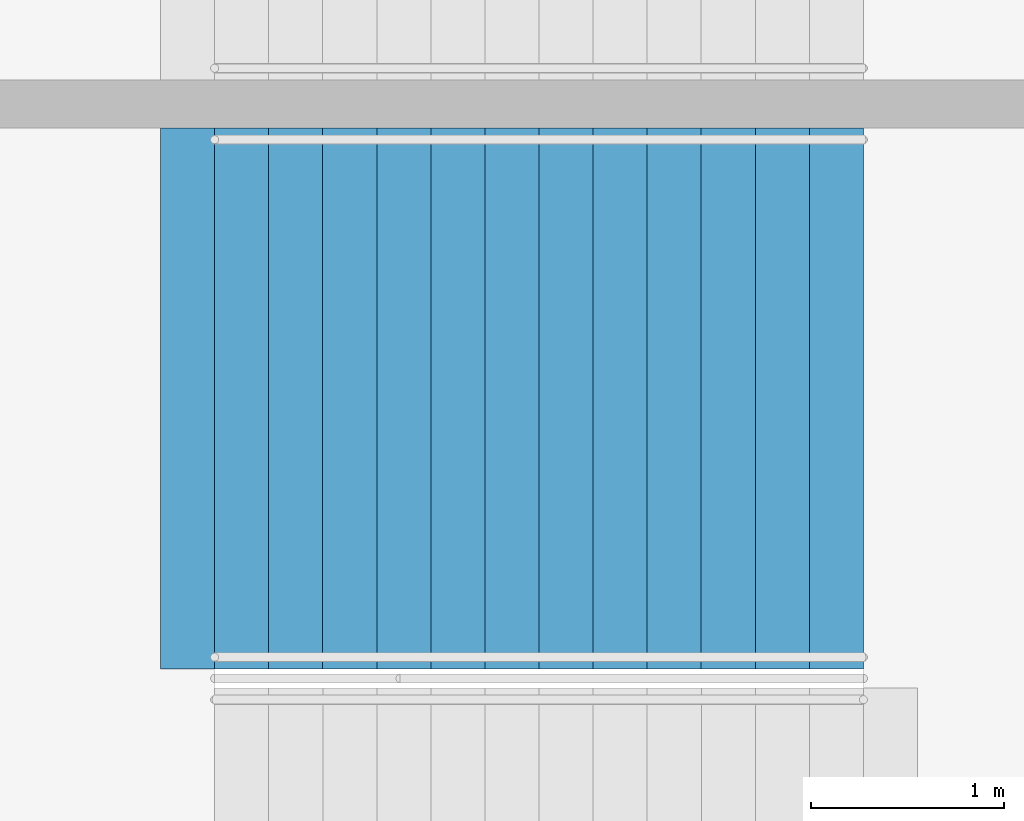
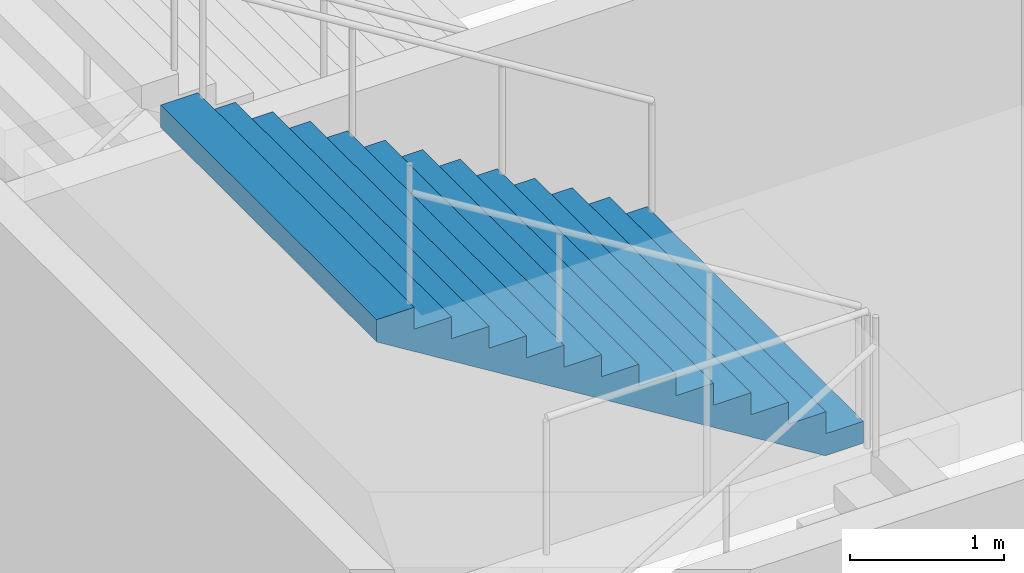
# One storey, part 181 of 249: 1 stair flight, 1 element without a shape of its own.
"""IFC4 building model written with IfcOpenShell, lengths in metres."""

from ifc_helpers import new_model, si_unit, direction, frame, origin, place, context, subcontext, project, spatial, faceted_brep, material, type_object, element, aggregate, save


model = new_model("IFC4")

# Units and contexts
model_context = context("Model", 3, precision=1e-05, world=origin(), true_north=direction((0.0, 1.0)))
body_context = subcontext(model_context, "Body", "Model", "MODEL_VIEW")
ifc_project = project(units=[si_unit("LENGTHUNIT", "METRE"), si_unit("AREAUNIT", "SQUARE_METRE"), si_unit("VOLUMEUNIT", "CUBIC_METRE"), si_unit("PLANEANGLEUNIT", "RADIAN"), si_unit("MASSUNIT", "GRAM", prefix="KILO")], contexts=[model_context])

# Site, building, storey
site_placement = place(None, origin())
site = spatial("IfcSite", under=ifc_project, at=site_placement, CompositionType="ELEMENT")
building_placement = place(site_placement, origin())
building = spatial("IfcBuilding", under=site, at=building_placement, Name="Ogive Plaza Stadium", CompositionType="ELEMENT")
storey_placement = place(building_placement, frame((0.0, 0.0, 13.5)))
storey = spatial("IfcBuildingStorey", under=building, at=storey_placement, Name="L03", CompositionType="ELEMENT", Elevation=13.5)

# Stair, stair flight
ifc_material_1 = material(Name="Concrete C40/50", Category="concrete")
stair_type = type_object("IfcStairType", Name="Exit stair", PredefinedType="STRAIGHT_RUN_STAIR", material=ifc_material_1)
stair_placement = place(storey_placement, origin())
stair = element("IfcStair", 1, at=stair_placement, inside=storey, type_object=stair_type, Name="Exit stair ST06A L03 to L04", PredefinedType="STRAIGHT_RUN_STAIR")
ifc_material_2 = material(Name="Concrete C40/50", Category="concrete")
stair_flight_type = type_object("IfcStairFlightType", Name="Exit stair flight", PredefinedType="STRAIGHT", material=ifc_material_2)
stair_flight_placement = place(storey_placement, frame((79.7099609375, -24.02490234375, 2.25), z_axis=(0.0, 0.0, 1.0), x_axis=(-1.0, 0.0, 0.0)))
stair_flight = element("IfcStairFlight", 2, at=stair_flight_placement, type_object=stair_flight_type, Name="ST06A flight 2", NumberOfRisers=13, NumberOfTreads=12, PredefinedType="STRAIGHT", RiserHeight=0.173076923, TreadLength=0.28, context=body_context, shape_type="Brep", body=[
    faceted_brep([(0.28515625, -1.39990234375, 0.0), (3.639892578125, -1.39990234375, 2.07373046875), (3.639892578125, -1.39990234375, 2.25), (3.360107421875, -1.39990234375, 2.25), (3.360107421875, -1.39990234375, 2.076904296875), (3.080078125, -1.39990234375, 2.076904296875), (3.080078125, -1.39990234375, 1.90380859375), (2.800048828125, -1.39990234375, 1.90380859375), (2.800048828125, -1.39990234375, 1.730712890625), (2.52001953125, -1.39990234375, 1.730712890625), (2.52001953125, -1.39990234375, 1.5576171875), (2.239990234375, -1.39990234375, 1.5576171875), (2.239990234375, -1.39990234375, 1.384521484375), (1.9599609375, -1.39990234375, 1.384521484375), (1.9599609375, -1.39990234375, 1.21142578125), (1.679931640625, -1.39990234375, 1.21142578125), (1.679931640625, -1.39990234375, 1.03857421875), (1.39990234375, -1.39990234375, 1.03857421875), (1.39990234375, -1.39990234375, 0.865478515625), (1.1201171875, -1.39990234375, 0.865478515625), (1.1201171875, -1.39990234375, 0.6923828125), (0.840087890625, -1.39990234375, 0.6923828125), (0.840087890625, -1.39990234375, 0.519287109375), (0.56005859375, -1.39990234375, 0.519287109375), (0.56005859375, -1.39990234375, 0.34619140625), (0.280029296875, -1.39990234375, 0.34619140625), (0.280029296875, -1.39990234375, 0.173095703125), (0.0, -1.39990234375, 0.173095703125), (0.0, -1.39990234375, 0.0), (0.0, 1.39990234375, 0.0), (0.0, 1.39990234375, 0.173095703125), (0.280029296875, 1.39990234375, 0.173095703125), (0.280029296875, 1.39990234375, 0.34619140625), (0.56005859375, 1.39990234375, 0.34619140625), (0.56005859375, 1.39990234375, 0.519287109375), (0.840087890625, 1.39990234375, 0.519287109375), (0.840087890625, 1.39990234375, 0.6923828125), (1.1201171875, 1.39990234375, 0.6923828125), (1.1201171875, 1.39990234375, 0.865478515625), (1.39990234375, 1.39990234375, 0.865478515625), (1.39990234375, 1.39990234375, 1.03857421875), (1.679931640625, 1.39990234375, 1.03857421875), (1.679931640625, 1.39990234375, 1.21142578125), (1.9599609375, 1.39990234375, 1.21142578125), (1.9599609375, 1.39990234375, 1.384521484375), (2.239990234375, 1.39990234375, 1.384521484375), (2.239990234375, 1.39990234375, 1.5576171875), (2.52001953125, 1.39990234375, 1.5576171875), (2.52001953125, 1.39990234375, 1.730712890625), (2.800048828125, 1.39990234375, 1.730712890625), (2.800048828125, 1.39990234375, 1.90380859375), (3.080078125, 1.39990234375, 1.90380859375), (3.080078125, 1.39990234375, 2.076904296875), (3.360107421875, 1.39990234375, 2.076904296875), (3.360107421875, 1.39990234375, 2.25), (3.639892578125, 1.39990234375, 2.25), (3.639892578125, 1.39990234375, 2.07373046875), (0.28515625, 1.39990234375, 0.0), (0.28515625, -1.0888671875, 0.0), (3.639892578125, -1.0888671875, 2.07373046875), (0.28515625, -0.77783203125, 0.0), (3.639892578125, -0.77783203125, 2.07373046875), (0.28515625, -0.466796875, 0.0), (3.639892578125, -0.466796875, 2.07373046875), (0.28515625, -0.155517578125, 0.0), (3.639892578125, -0.155517578125, 2.07373046875), (0.28515625, 0.155517578125, 0.0), (3.639892578125, 0.155517578125, 2.07373046875), (0.28515625, 0.466796875, 0.0), (3.639892578125, 0.466796875, 2.07373046875), (0.28515625, 0.77783203125, 0.0), (3.639892578125, 0.77783203125, 2.07373046875), (0.28515625, 1.0888671875, 0.0), (3.639892578125, 1.0888671875, 2.07373046875), (3.639892578125, -1.0888671875, 2.25), (3.639892578125, -0.77783203125, 2.25), (3.639892578125, -0.466796875, 2.25), (3.639892578125, -0.155517578125, 2.25), (3.639892578125, 0.155517578125, 2.25), (3.639892578125, 0.466796875, 2.25), (3.639892578125, 0.77783203125, 2.25), (3.639892578125, 1.0888671875, 2.25), (3.360107421875, -1.0888671875, 2.25), (3.360107421875, -0.77783203125, 2.25), (3.360107421875, -0.466796875, 2.25), (3.360107421875, -0.155517578125, 2.25), (3.360107421875, 0.155517578125, 2.25), (3.360107421875, 0.466796875, 2.25), (3.360107421875, 0.77783203125, 2.25), (3.360107421875, 1.0888671875, 2.25), (3.360107421875, -1.0888671875, 2.076904296875), (3.360107421875, -0.77783203125, 2.076904296875), (3.360107421875, -0.466796875, 2.076904296875), (3.360107421875, -0.155517578125, 2.076904296875), (3.360107421875, 0.155517578125, 2.076904296875), (3.360107421875, 0.466796875, 2.076904296875), (3.360107421875, 0.77783203125, 2.076904296875), (3.360107421875, 1.0888671875, 2.076904296875), (3.080078125, -1.0888671875, 2.076904296875), (3.080078125, -0.77783203125, 2.076904296875), (3.080078125, -0.466796875, 2.076904296875), (3.080078125, -0.155517578125, 2.076904296875), (3.080078125, 0.155517578125, 2.076904296875), (3.080078125, 0.466796875, 2.076904296875), (3.080078125, 0.77783203125, 2.076904296875), (3.080078125, 1.0888671875, 2.076904296875), (3.080078125, -1.0888671875, 1.90380859375), (3.080078125, -0.77783203125, 1.90380859375), (3.080078125, -0.466796875, 1.90380859375), (3.080078125, -0.155517578125, 1.90380859375), (3.080078125, 0.155517578125, 1.90380859375), (3.080078125, 0.466796875, 1.90380859375), (3.080078125, 0.77783203125, 1.90380859375), (3.080078125, 1.0888671875, 1.90380859375), (2.800048828125, -1.0888671875, 1.90380859375), (2.800048828125, -0.77783203125, 1.90380859375), (2.800048828125, -0.466796875, 1.90380859375), (2.800048828125, -0.155517578125, 1.90380859375), (2.800048828125, 0.155517578125, 1.90380859375), (2.800048828125, 0.466796875, 1.90380859375), (2.800048828125, 0.77783203125, 1.90380859375), (2.800048828125, 1.0888671875, 1.90380859375), (2.800048828125, -1.0888671875, 1.730712890625), (2.800048828125, -0.77783203125, 1.730712890625), (2.800048828125, -0.466796875, 1.730712890625), (2.800048828125, -0.155517578125, 1.730712890625), (2.800048828125, 0.155517578125, 1.730712890625), (2.800048828125, 0.466796875, 1.730712890625), (2.800048828125, 0.77783203125, 1.730712890625), (2.800048828125, 1.0888671875, 1.730712890625), (2.52001953125, -1.0888671875, 1.730712890625), (2.52001953125, -0.77783203125, 1.730712890625), (2.52001953125, -0.466796875, 1.730712890625), (2.52001953125, -0.155517578125, 1.730712890625), (2.52001953125, 0.155517578125, 1.730712890625), (2.52001953125, 0.466796875, 1.730712890625), (2.52001953125, 0.77783203125, 1.730712890625), (2.52001953125, 1.0888671875, 1.730712890625), (2.52001953125, -1.0888671875, 1.5576171875), (2.52001953125, -0.77783203125, 1.5576171875), (2.52001953125, -0.466796875, 1.5576171875), (2.52001953125, -0.155517578125, 1.5576171875), (2.52001953125, 0.155517578125, 1.5576171875), (2.52001953125, 0.466796875, 1.5576171875), (2.52001953125, 0.77783203125, 1.5576171875), (2.52001953125, 1.0888671875, 1.5576171875), (2.239990234375, -1.0888671875, 1.5576171875), (2.239990234375, -0.77783203125, 1.5576171875), (2.239990234375, -0.466796875, 1.5576171875), (2.239990234375, -0.155517578125, 1.5576171875), (2.239990234375, 0.155517578125, 1.5576171875), (2.239990234375, 0.466796875, 1.5576171875), (2.239990234375, 0.77783203125, 1.5576171875), (2.239990234375, 1.0888671875, 1.5576171875), (2.239990234375, -1.0888671875, 1.384521484375), (2.239990234375, -0.77783203125, 1.384521484375), (2.239990234375, -0.466796875, 1.384521484375), (2.239990234375, -0.155517578125, 1.384521484375), (2.239990234375, 0.155517578125, 1.384521484375), (2.239990234375, 0.466796875, 1.384521484375), (2.239990234375, 0.77783203125, 1.384521484375), (2.239990234375, 1.0888671875, 1.384521484375), (1.9599609375, -1.0888671875, 1.384521484375), (1.9599609375, -0.77783203125, 1.384521484375), (1.9599609375, -0.466796875, 1.384521484375), (1.9599609375, -0.155517578125, 1.384521484375), (1.9599609375, 0.155517578125, 1.384521484375), (1.9599609375, 0.466796875, 1.384521484375), (1.9599609375, 0.77783203125, 1.384521484375), (1.9599609375, 1.0888671875, 1.384521484375), (1.9599609375, -1.0888671875, 1.21142578125), (1.9599609375, -0.77783203125, 1.21142578125), (1.9599609375, -0.466796875, 1.21142578125), (1.9599609375, -0.155517578125, 1.21142578125), (1.9599609375, 0.155517578125, 1.21142578125), (1.9599609375, 0.466796875, 1.21142578125), (1.9599609375, 0.77783203125, 1.21142578125), (1.9599609375, 1.0888671875, 1.21142578125), (1.679931640625, -1.0888671875, 1.21142578125), (1.679931640625, -0.77783203125, 1.21142578125), (1.679931640625, -0.466796875, 1.21142578125), (1.679931640625, -0.155517578125, 1.21142578125), (1.679931640625, 0.155517578125, 1.21142578125), (1.679931640625, 0.466796875, 1.21142578125), (1.679931640625, 0.77783203125, 1.21142578125), (1.679931640625, 1.0888671875, 1.21142578125), (1.679931640625, -1.0888671875, 1.03857421875), (1.679931640625, -0.77783203125, 1.03857421875), (1.679931640625, -0.466796875, 1.03857421875), (1.679931640625, -0.155517578125, 1.03857421875), (1.679931640625, 0.155517578125, 1.03857421875), (1.679931640625, 0.466796875, 1.03857421875), (1.679931640625, 0.77783203125, 1.03857421875), (1.679931640625, 1.0888671875, 1.03857421875), (1.39990234375, -1.0888671875, 1.03857421875), (1.39990234375, -0.77783203125, 1.03857421875), (1.39990234375, -0.466796875, 1.03857421875), (1.39990234375, -0.155517578125, 1.03857421875), (1.39990234375, 0.155517578125, 1.03857421875), (1.39990234375, 0.466796875, 1.03857421875), (1.39990234375, 0.77783203125, 1.03857421875), (1.39990234375, 1.0888671875, 1.03857421875), (1.39990234375, -1.0888671875, 0.865478515625), (1.39990234375, -0.77783203125, 0.865478515625), (1.39990234375, -0.466796875, 0.865478515625), (1.39990234375, -0.155517578125, 0.865478515625), (1.39990234375, 0.155517578125, 0.865478515625), (1.39990234375, 0.466796875, 0.865478515625), (1.39990234375, 0.77783203125, 0.865478515625), (1.39990234375, 1.0888671875, 0.865478515625), (1.1201171875, -1.0888671875, 0.865478515625), (1.1201171875, -0.77783203125, 0.865478515625), (1.1201171875, -0.466796875, 0.865478515625), (1.1201171875, -0.155517578125, 0.865478515625), (1.1201171875, 0.155517578125, 0.865478515625), (1.1201171875, 0.466796875, 0.865478515625), (1.1201171875, 0.77783203125, 0.865478515625), (1.1201171875, 1.0888671875, 0.865478515625), (1.1201171875, -1.0888671875, 0.6923828125), (1.1201171875, -0.77783203125, 0.6923828125), (1.1201171875, -0.466796875, 0.6923828125), (1.1201171875, -0.155517578125, 0.6923828125), (1.1201171875, 0.155517578125, 0.6923828125), (1.1201171875, 0.466796875, 0.6923828125), (1.1201171875, 0.77783203125, 0.6923828125), (1.1201171875, 1.0888671875, 0.6923828125), (0.840087890625, -1.0888671875, 0.6923828125), (0.840087890625, -0.77783203125, 0.6923828125), (0.840087890625, -0.466796875, 0.6923828125), (0.840087890625, -0.155517578125, 0.6923828125), (0.840087890625, 0.155517578125, 0.6923828125), (0.840087890625, 0.466796875, 0.6923828125), (0.840087890625, 0.77783203125, 0.6923828125), (0.840087890625, 1.0888671875, 0.6923828125), (0.840087890625, -1.0888671875, 0.519287109375), (0.840087890625, -0.77783203125, 0.519287109375), (0.840087890625, -0.466796875, 0.519287109375), (0.840087890625, -0.155517578125, 0.519287109375), (0.840087890625, 0.155517578125, 0.519287109375), (0.840087890625, 0.466796875, 0.519287109375), (0.840087890625, 0.77783203125, 0.519287109375), (0.840087890625, 1.0888671875, 0.519287109375), (0.56005859375, -1.0888671875, 0.519287109375), (0.56005859375, -0.77783203125, 0.519287109375), (0.56005859375, -0.466796875, 0.519287109375), (0.56005859375, -0.155517578125, 0.519287109375), (0.56005859375, 0.155517578125, 0.519287109375), (0.56005859375, 0.466796875, 0.519287109375), (0.56005859375, 0.77783203125, 0.519287109375), (0.56005859375, 1.0888671875, 0.519287109375), (0.56005859375, -1.0888671875, 0.34619140625), (0.56005859375, -0.77783203125, 0.34619140625), (0.56005859375, -0.466796875, 0.34619140625), (0.56005859375, -0.155517578125, 0.34619140625), (0.56005859375, 0.155517578125, 0.34619140625), (0.56005859375, 0.466796875, 0.34619140625), (0.56005859375, 0.77783203125, 0.34619140625), (0.56005859375, 1.0888671875, 0.34619140625), (0.280029296875, -1.0888671875, 0.34619140625), (0.280029296875, -0.77783203125, 0.34619140625), (0.280029296875, -0.466796875, 0.34619140625), (0.280029296875, -0.155517578125, 0.34619140625), (0.280029296875, 0.155517578125, 0.34619140625), (0.280029296875, 0.466796875, 0.34619140625), (0.280029296875, 0.77783203125, 0.34619140625), (0.280029296875, 1.0888671875, 0.34619140625), (0.280029296875, -1.0888671875, 0.173095703125), (0.280029296875, -0.77783203125, 0.173095703125), (0.280029296875, -0.466796875, 0.173095703125), (0.280029296875, -0.155517578125, 0.173095703125), (0.280029296875, 0.155517578125, 0.173095703125), (0.280029296875, 0.466796875, 0.173095703125), (0.280029296875, 0.77783203125, 0.173095703125), (0.280029296875, 1.0888671875, 0.173095703125), (0.0, -1.0888671875, 0.173095703125), (0.0, -0.77783203125, 0.173095703125), (0.0, -0.466796875, 0.173095703125), (0.0, -0.155517578125, 0.173095703125), (0.0, 0.155517578125, 0.173095703125), (0.0, 0.466796875, 0.173095703125), (0.0, 0.77783203125, 0.173095703125), (0.0, 1.0888671875, 0.173095703125), (0.0, -1.0888671875, 0.0), (0.0, -0.77783203125, 0.0), (0.0, -0.466796875, 0.0), (0.0, -0.155517578125, 0.0), (0.0, 0.155517578125, 0.0), (0.0, 0.466796875, 0.0), (0.0, 0.77783203125, 0.0), (0.0, 1.0888671875, 0.0)], [[[0, 1, 2, 3, 4, 5, 6, 7, 8, 9, 10, 11, 12, 13, 14, 15, 16, 17, 18, 19, 20, 21, 22, 23, 24, 25, 26, 27, 28]], [[29, 30, 31, 32, 33, 34, 35, 36, 37, 38, 39, 40, 41, 42, 43, 44, 45, 46, 47, 48, 49, 50, 51, 52, 53, 54, 55, 56, 57]], [[0, 58, 59, 1]], [[58, 60, 61, 59]], [[60, 62, 63, 61]], [[62, 64, 65, 63]], [[64, 66, 67, 65]], [[66, 68, 69, 67]], [[68, 70, 71, 69]], [[70, 72, 73, 71]], [[72, 57, 56, 73]], [[1, 59, 74, 2]], [[59, 61, 75, 74]], [[61, 63, 76, 75]], [[63, 65, 77, 76]], [[65, 67, 78, 77]], [[67, 69, 79, 78]], [[69, 71, 80, 79]], [[71, 73, 81, 80]], [[73, 56, 55, 81]], [[2, 74, 82, 3]], [[74, 75, 83, 82]], [[75, 76, 84, 83]], [[76, 77, 85, 84]], [[77, 78, 86, 85]], [[78, 79, 87, 86]], [[79, 80, 88, 87]], [[80, 81, 89, 88]], [[81, 55, 54, 89]], [[3, 82, 90, 4]], [[82, 83, 91, 90]], [[83, 84, 92, 91]], [[84, 85, 93, 92]], [[85, 86, 94, 93]], [[86, 87, 95, 94]], [[87, 88, 96, 95]], [[88, 89, 97, 96]], [[89, 54, 53, 97]], [[4, 90, 98, 5]], [[90, 91, 99, 98]], [[91, 92, 100, 99]], [[92, 93, 101, 100]], [[93, 94, 102, 101]], [[94, 95, 103, 102]], [[95, 96, 104, 103]], [[96, 97, 105, 104]], [[97, 53, 52, 105]], [[5, 98, 106, 6]], [[98, 99, 107, 106]], [[99, 100, 108, 107]], [[100, 101, 109, 108]], [[101, 102, 110, 109]], [[102, 103, 111, 110]], [[103, 104, 112, 111]], [[104, 105, 113, 112]], [[105, 52, 51, 113]], [[6, 106, 114, 7]], [[106, 107, 115, 114]], [[107, 108, 116, 115]], [[108, 109, 117, 116]], [[109, 110, 118, 117]], [[110, 111, 119, 118]], [[111, 112, 120, 119]], [[112, 113, 121, 120]], [[113, 51, 50, 121]], [[7, 114, 122, 8]], [[114, 115, 123, 122]], [[115, 116, 124, 123]], [[116, 117, 125, 124]], [[117, 118, 126, 125]], [[118, 119, 127, 126]], [[119, 120, 128, 127]], [[120, 121, 129, 128]], [[121, 50, 49, 129]], [[8, 122, 130, 9]], [[122, 123, 131, 130]], [[123, 124, 132, 131]], [[124, 125, 133, 132]], [[125, 126, 134, 133]], [[126, 127, 135, 134]], [[127, 128, 136, 135]], [[128, 129, 137, 136]], [[129, 49, 48, 137]], [[9, 130, 138, 10]], [[130, 131, 139, 138]], [[131, 132, 140, 139]], [[132, 133, 141, 140]], [[133, 134, 142, 141]], [[134, 135, 143, 142]], [[135, 136, 144, 143]], [[136, 137, 145, 144]], [[137, 48, 47, 145]], [[10, 138, 146, 11]], [[138, 139, 147, 146]], [[139, 140, 148, 147]], [[140, 141, 149, 148]], [[141, 142, 150, 149]], [[142, 143, 151, 150]], [[143, 144, 152, 151]], [[144, 145, 153, 152]], [[145, 47, 46, 153]], [[11, 146, 154, 12]], [[146, 147, 155, 154]], [[147, 148, 156, 155]], [[148, 149, 157, 156]], [[149, 150, 158, 157]], [[150, 151, 159, 158]], [[151, 152, 160, 159]], [[152, 153, 161, 160]], [[153, 46, 45, 161]], [[12, 154, 162, 13]], [[154, 155, 163, 162]], [[155, 156, 164, 163]], [[156, 157, 165, 164]], [[157, 158, 166, 165]], [[158, 159, 167, 166]], [[159, 160, 168, 167]], [[160, 161, 169, 168]], [[161, 45, 44, 169]], [[13, 162, 170, 14]], [[162, 163, 171, 170]], [[163, 164, 172, 171]], [[164, 165, 173, 172]], [[165, 166, 174, 173]], [[166, 167, 175, 174]], [[167, 168, 176, 175]], [[168, 169, 177, 176]], [[169, 44, 43, 177]], [[14, 170, 178, 15]], [[170, 171, 179, 178]], [[171, 172, 180, 179]], [[172, 173, 181, 180]], [[173, 174, 182, 181]], [[174, 175, 183, 182]], [[175, 176, 184, 183]], [[176, 177, 185, 184]], [[177, 43, 42, 185]], [[15, 178, 186, 16]], [[178, 179, 187, 186]], [[179, 180, 188, 187]], [[180, 181, 189, 188]], [[181, 182, 190, 189]], [[182, 183, 191, 190]], [[183, 184, 192, 191]], [[184, 185, 193, 192]], [[185, 42, 41, 193]], [[16, 186, 194, 17]], [[186, 187, 195, 194]], [[187, 188, 196, 195]], [[188, 189, 197, 196]], [[189, 190, 198, 197]], [[190, 191, 199, 198]], [[191, 192, 200, 199]], [[192, 193, 201, 200]], [[193, 41, 40, 201]], [[17, 194, 202, 18]], [[194, 195, 203, 202]], [[195, 196, 204, 203]], [[196, 197, 205, 204]], [[197, 198, 206, 205]], [[198, 199, 207, 206]], [[199, 200, 208, 207]], [[200, 201, 209, 208]], [[201, 40, 39, 209]], [[18, 202, 210, 19]], [[202, 203, 211, 210]], [[203, 204, 212, 211]], [[204, 205, 213, 212]], [[205, 206, 214, 213]], [[206, 207, 215, 214]], [[207, 208, 216, 215]], [[208, 209, 217, 216]], [[209, 39, 38, 217]], [[19, 210, 218, 20]], [[210, 211, 219, 218]], [[211, 212, 220, 219]], [[212, 213, 221, 220]], [[213, 214, 222, 221]], [[214, 215, 223, 222]], [[215, 216, 224, 223]], [[216, 217, 225, 224]], [[217, 38, 37, 225]], [[20, 218, 226, 21]], [[218, 219, 227, 226]], [[219, 220, 228, 227]], [[220, 221, 229, 228]], [[221, 222, 230, 229]], [[222, 223, 231, 230]], [[223, 224, 232, 231]], [[224, 225, 233, 232]], [[225, 37, 36, 233]], [[21, 226, 234, 22]], [[226, 227, 235, 234]], [[227, 228, 236, 235]], [[228, 229, 237, 236]], [[229, 230, 238, 237]], [[230, 231, 239, 238]], [[231, 232, 240, 239]], [[232, 233, 241, 240]], [[233, 36, 35, 241]], [[22, 234, 242, 23]], [[234, 235, 243, 242]], [[235, 236, 244, 243]], [[236, 237, 245, 244]], [[237, 238, 246, 245]], [[238, 239, 247, 246]], [[239, 240, 248, 247]], [[240, 241, 249, 248]], [[241, 35, 34, 249]], [[23, 242, 250, 24]], [[242, 243, 251, 250]], [[243, 244, 252, 251]], [[244, 245, 253, 252]], [[245, 246, 254, 253]], [[246, 247, 255, 254]], [[247, 248, 256, 255]], [[248, 249, 257, 256]], [[249, 34, 33, 257]], [[24, 250, 258, 25]], [[250, 251, 259, 258]], [[251, 252, 260, 259]], [[252, 253, 261, 260]], [[253, 254, 262, 261]], [[254, 255, 263, 262]], [[255, 256, 264, 263]], [[256, 257, 265, 264]], [[257, 33, 32, 265]], [[25, 258, 266, 26]], [[258, 259, 267, 266]], [[259, 260, 268, 267]], [[260, 261, 269, 268]], [[261, 262, 270, 269]], [[262, 263, 271, 270]], [[263, 264, 272, 271]], [[264, 265, 273, 272]], [[265, 32, 31, 273]], [[26, 266, 274, 27]], [[266, 267, 275, 274]], [[267, 268, 276, 275]], [[268, 269, 277, 276]], [[269, 270, 278, 277]], [[270, 271, 279, 278]], [[271, 272, 280, 279]], [[272, 273, 281, 280]], [[273, 31, 30, 281]], [[27, 274, 282, 28]], [[274, 275, 283, 282]], [[275, 276, 284, 283]], [[276, 277, 285, 284]], [[277, 278, 286, 285]], [[278, 279, 287, 286]], [[279, 280, 288, 287]], [[280, 281, 289, 288]], [[281, 30, 29, 289]], [[28, 282, 58, 0]], [[282, 283, 60, 58]], [[283, 284, 62, 60]], [[284, 285, 64, 62]], [[285, 286, 66, 64]], [[286, 287, 68, 66]], [[287, 288, 70, 68]], [[288, 289, 72, 70]], [[289, 29, 57, 72]]]),
])
aggregate(stair, [stair_flight])

save(model, "model.ifc")
